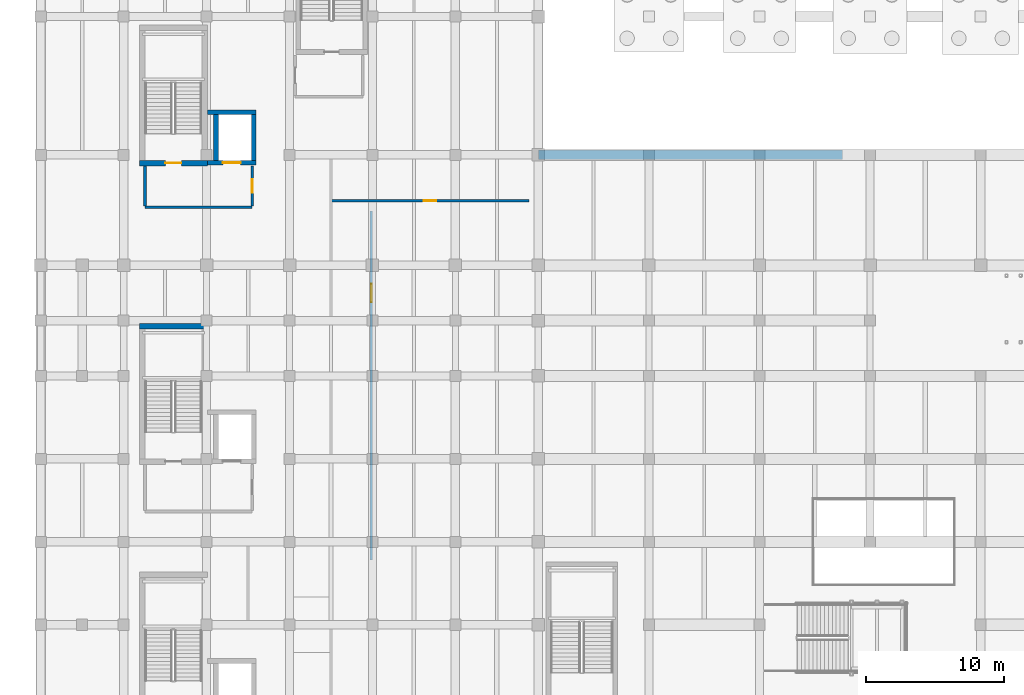
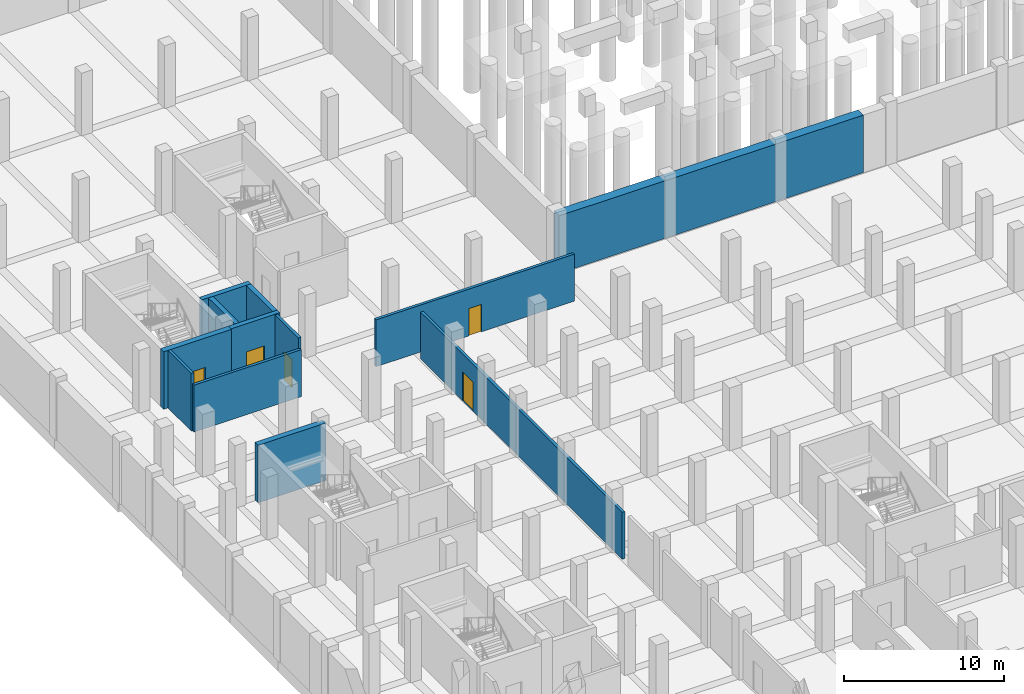
# One storey, part 21 of 36: 12 walls, 5 doors, 5 openings.
"""IFC4 building model written with IfcOpenShell, lengths in metres."""

from ifc_helpers import new_model, si_unit, direction, frame, frame_2d, origin, place, context, subcontext, project, spatial, rectangle, extrude, material, layer, layer_set, type_object, element, fill, save


model = new_model("IFC4")

# Units and contexts
model_context = context("Model", 3, precision=1e-05, world=origin(), true_north=direction((0.0, 1.0)))
body_context = subcontext(model_context, "Body", "Model", "MODEL_VIEW")
ifc_project = project(units=[si_unit("LENGTHUNIT", "METRE"), si_unit("AREAUNIT", "SQUARE_METRE"), si_unit("VOLUMEUNIT", "CUBIC_METRE"), si_unit("PLANEANGLEUNIT", "RADIAN"), si_unit("MASSUNIT", "GRAM", prefix="KILO")], contexts=[model_context])

# Site, building, storey
site_placement = place(None, origin())
site = spatial("IfcSite", under=ifc_project, at=site_placement, CompositionType="ELEMENT")
building_placement = place(site_placement, origin())
building = spatial("IfcBuilding", under=site, at=building_placement, Name="Verrall Gate Interchange", CompositionType="ELEMENT")
storey_placement = place(building_placement, frame((0.0, 0.0, -4.800048828125)))
storey = spatial("IfcBuildingStorey", under=building, at=storey_placement, Name="B1", CompositionType="ELEMENT", Elevation=-4.800048828125)

# Walls
ifc_material_1 = material(Name="Fire-Rated Type X Gypsum Stud Partition Assembly (60 min)", Category="gypsum")
ifc_layer_1 = layer(ifc_material_1, 0.199951171875)
ifc_layer_set_1 = layer_set([ifc_layer_1], Name="Fire-Rated Type X Gypsum Stud Partition Assembly (60 min)")
wall_type_1 = type_object("IfcWallType", Name="IW-01 Interior Partition Wall 200", PredefinedType="PARTITIONING", material=ifc_layer_set_1)
wall_1_placement = place(storey_placement, frame((7.550048828125, 52.199951171875, 0.0), z_axis=(0.0, 0.0, 1.0), x_axis=(1.0, 0.0, 0.0)))
element("IfcWall", 1, at=wall_1_placement, inside=storey, type_object=wall_type_1, Name="B1 Core C3 Lobby South Rated Wall", PredefinedType="PARTITIONING", context=body_context, shape_type="SweptSolid", body=[
    extrude(rectangle(XDim=7.75, YDim=0.199951171875, at=frame_2d((3.875, 0.0))), origin(), (0.0, 0.0, 1.0), 3.587158203125),
])
wall_2_placement = place(storey_placement, frame((7.550048828125, 55.199951171875, 0.0), z_axis=(0.0, 0.0, 1.0), x_axis=(0.0, -1.0, 0.0)))
element("IfcWall", 2, at=wall_2_placement, inside=storey, type_object=wall_type_1, Name="B1 Core C3 Lobby West Rated Wall", PredefinedType="PARTITIONING", context=body_context, shape_type="SweptSolid", body=[
    extrude(rectangle(XDim=2.919921875, YDim=0.199951171875, at=frame_2d((1.4599609375, 0.0))), origin(), (0.0, 0.0, 1.0), 4.400146484375),
])

# Wall, opening, door
wall_3_placement = place(storey_placement, frame((15.300048828125, 52.280029296875, 0.0), z_axis=(0.0, 0.0, 1.0), x_axis=(0.0, 1.0, 0.0)))
wall_3 = element("IfcWall", 3, at=wall_3_placement, inside=storey, type_object=wall_type_1, Name="B1 Core C3 Lobby East Rated Wall", PredefinedType="PARTITIONING", context=body_context, shape_type="SweptSolid", body=[
    extrude(rectangle(XDim=2.919921875, YDim=0.199951171875, at=frame_2d((1.4599609375, 0.0))), origin(), (0.0, 0.0, 1.0), 4.400146484375),
])
opening_1_placement = place(wall_3_placement, frame((0.9599609375, 0.0, 0.0)))
opening_1 = element("IfcOpeningElement", 4, at=opening_1_placement, cuts=wall_3, Name="Opening LBD045", PredefinedType="OPENING", context=body_context, shape_type="SweptSolid", body=[
    extrude(rectangle(XDim=1.0, YDim=2.14990234375, at=frame_2d((0.5, 1.074951171875))), frame((0.0, 0.11474609375, 0.0), z_axis=(0.0, -1.0, 0.0), x_axis=(1.0, 0.0, 0.0)), (0.0, 0.0, 1.0), 0.229736328125),
])
ifc_material_2 = material(Name="Hollow-Metal Fire-Rated Door Assembly", Category="metal")
door_type_1 = type_object("IfcDoorType", Name="ID-05 Interior Swing Door 1000x2150", OperationType="NOTDEFINED", PredefinedType="DOOR", material=ifc_material_2)
door_1_placement = place(opening_1_placement, origin())
door_1 = element("IfcDoor", 5, at=door_1_placement, inside=storey, type_object=door_type_1, Name="B1 Core C3 Lobby Fire Door LBD045", OperationType="SINGLE_SWING_LEFT", OverallHeight=2.14990234375, OverallWidth=1.0, PredefinedType="DOOR", context=body_context, shape_type="SweptSolid", body=[
    extrude(rectangle(XDim=1.0, YDim=2.14990234375, at=frame_2d((0.5, 1.074951171875))), frame((0.0, 0.02490234375, 0.0), z_axis=(0.0, -1.0, 0.0), x_axis=(1.0, 0.0, 0.0)), (0.0, 0.0, 1.0), 0.050048828125),
])
fill(opening_1, door_1)

wall_4_placement = place(storey_placement, frame((23.919921875, 51.919921875, 0.0), z_axis=(0.0, 0.0, 1.0), x_axis=(0.0, -1.0, 0.0)))
wall_4 = element("IfcWall", 6, at=wall_4_placement, inside=storey, type_object=wall_type_1, Name="B1 Train Control and Signalling Battery Room Partition 012", PredefinedType="PARTITIONING", context=body_context, shape_type="SweptSolid", body=[
    extrude(rectangle(XDim=25.239990234375, YDim=0.199951171875, at=frame_2d((12.6201171875, 0.0))), origin(), (0.0, 0.0, 1.0), 3.587158203125),
])
opening_2_placement = place(wall_4_placement, frame((5.262451171875, 0.0, 0.0)))
opening_2 = element("IfcOpeningElement", 7, at=opening_2_placement, cuts=wall_4, Name="Opening D012", PredefinedType="OPENING", context=body_context, shape_type="SweptSolid", body=[
    extrude(rectangle(XDim=1.320068359375, YDim=2.199951171875, at=frame_2d((0.66015625, 1.10009765625))), frame((0.0, 0.11474609375, 0.0), z_axis=(0.0, -1.0, 0.0), x_axis=(1.0, 0.0, 0.0)), (0.0, 0.0, 1.0), 0.229736328125),
])
ifc_material_3 = material(Name="Hollow-Metal Fire-Rated Door Assembly", Category="metal")
door_type_2 = type_object("IfcDoorType", Name="ID-08 Interior Swing Door 1320x2200", OperationType="NOTDEFINED", PredefinedType="DOOR", material=ifc_material_3)
door_2_placement = place(opening_2_placement, origin())
door_2 = element("IfcDoor", 8, at=door_2_placement, inside=storey, type_object=door_type_2, Name="B1 Train Control and Signalling Battery Room Door D012", OperationType="SINGLE_SWING_LEFT", OverallHeight=2.199951171875, OverallWidth=1.320068359375, PredefinedType="DOOR", context=body_context, shape_type="SweptSolid", body=[
    extrude(rectangle(XDim=1.320068359375, YDim=2.199951171875, at=frame_2d((0.66015625, 1.10009765625))), frame((0.0, 0.02490234375, 0.0), z_axis=(0.0, -1.0, 0.0), x_axis=(1.0, 0.0, 0.0)), (0.0, 0.0, 1.0), 0.050048828125),
])
fill(opening_2, door_2)

wall_5_placement = place(storey_placement, frame((35.320068359375, 52.679931640625, 0.0), z_axis=(0.0, 0.0, 1.0), x_axis=(-1.0, 0.0, 0.0)))
wall_5 = element("IfcWall", 9, at=wall_5_placement, inside=storey, type_object=wall_type_1, Name="B1 Mezzanine Smoke Exhaust Fan Plant Partition 013", PredefinedType="PARTITIONING", context=body_context, shape_type="SweptSolid", body=[
    extrude(rectangle(XDim=14.324951171875, YDim=0.199951171875, at=frame_2d((7.16259765625, 0.0))), origin(), (0.0, 0.0, 1.0), 3.587158203125),
])
opening_3_placement = place(wall_5_placement, frame((6.702392578125, 0.0, 0.0)))
opening_3 = element("IfcOpeningElement", 10, at=opening_3_placement, cuts=wall_5, Name="Opening D013", PredefinedType="OPENING", context=body_context, shape_type="SweptSolid", body=[
    extrude(rectangle(XDim=0.919921875, YDim=2.10009765625, at=frame_2d((0.4599609375, 1.050048828125))), frame((0.0, 0.11474609375, 0.0), z_axis=(0.0, -1.0, 0.0), x_axis=(1.0, 0.0, 0.0)), (0.0, 0.0, 1.0), 0.229736328125),
])
ifc_material_4 = material(Name="Architectural Solid-Core Birch Acoustic Door Assembly", Category="wood")
door_type_3 = type_object("IfcDoorType", Name="ID-10 Interior Swing Door 920x2100", OperationType="NOTDEFINED", PredefinedType="DOOR", material=ifc_material_4)
door_3_placement = place(opening_3_placement, origin())
door_3 = element("IfcDoor", 11, at=door_3_placement, inside=storey, type_object=door_type_3, Name="B1 Mezzanine Smoke Exhaust Fan Plant Door D013", OperationType="SINGLE_SWING_RIGHT", OverallHeight=2.10009765625, OverallWidth=0.919921875, PredefinedType="DOOR", context=body_context, shape_type="SweptSolid", body=[
    extrude(rectangle(XDim=0.919921875, YDim=2.10009765625, at=frame_2d((0.4599609375, 1.050048828125))), frame((0.0, 0.02490234375, 0.0), z_axis=(0.0, -1.0, 0.0), x_axis=(1.0, 0.0, 0.0)), (0.0, 0.0, 1.0), 0.050048828125),
])
fill(opening_3, door_3)

# Walls
ifc_material_5 = material(Name="Concrete CSA A23.1 35 MPa (Class S-2)", Category="concrete")
ifc_layer_2 = layer(ifc_material_5, 0.659912109375)
ifc_layer_set_2 = layer_set([ifc_layer_2], Name="Concrete CSA A23.1 35 MPa (Class S-2)")
wall_type_2 = type_object("IfcWallType", Name="RW-02 Diaphragm Retaining Wall 660", PredefinedType="USERDEFINED", material=ifc_layer_set_2)
wall_6_placement = place(storey_placement, frame((58.0, 56.0, 0.0), z_axis=(0.0, 0.0, 1.0), x_axis=(-1.0, 0.0, 0.0)))
element("IfcWall", 12, at=wall_6_placement, inside=storey, type_object=wall_type_2, Name="B1 Diaphragm Retaining Wall 040", ObjectType="RETAININGWALL", PredefinedType="USERDEFINED", context=body_context, shape_type="SweptSolid", body=[
    extrude(rectangle(XDim=22.0, YDim=0.659912109375, at=frame_2d((11.0, 0.0))), origin(), (0.0, 0.0, 1.0), 4.400146484375),
])
ifc_material_6 = material(Name="Concrete CSA A23.1 40 MPa (Class N)", Category="concrete")
ifc_layer_3 = layer(ifc_material_6, 0.39990234375)
ifc_layer_set_3 = layer_set([ifc_layer_3], Name="Concrete CSA A23.1 40 MPa (Class N)")
wall_type_3 = type_object("IfcWallType", Name="SW-01 Core Shear Wall 400", PredefinedType="SHEAR", material=ifc_layer_set_3)
wall_7_placement = place(storey_placement, frame((12.050048828125, 43.60009765625, 0.0), z_axis=(0.0, 0.0, 1.0), x_axis=(-1.0, 0.0, 0.0)))
element("IfcWall", 13, at=wall_7_placement, inside=storey, type_object=wall_type_3, Name="B1 Core C2 North Shear Wall", PredefinedType="SHEAR", context=body_context, shape_type="SweptSolid", body=[
    extrude(rectangle(XDim=4.900146484375, YDim=0.39990234375, at=frame_2d((2.4501953125, 0.0))), origin(), (0.0, 0.0, 1.0), 4.400146484375),
])

# Wall, opening, door
wall_8_placement = place(storey_placement, frame((7.14990234375, 55.39990234375, 0.0), z_axis=(0.0, 0.0, 1.0), x_axis=(1.0, 0.0, 0.0)))
wall_8 = element("IfcWall", 14, at=wall_8_placement, inside=storey, type_object=wall_type_3, Name="B1 Core C3 South Shear Wall", PredefinedType="SHEAR", context=body_context, shape_type="SweptSolid", body=[
    extrude(rectangle(XDim=4.900146484375, YDim=0.39990234375, at=frame_2d((2.4501953125, 0.0))), origin(), (0.0, 0.0, 1.0), 4.400146484375),
])
opening_4_placement = place(wall_8_placement, frame((1.875, 0.0, 0.0)))
opening_4 = element("IfcOpeningElement", 15, at=opening_4_placement, cuts=wall_8, Name="Opening SD038", PredefinedType="OPENING", context=body_context, shape_type="SweptSolid", body=[
    extrude(rectangle(XDim=1.14990234375, YDim=2.14990234375, at=frame_2d((0.574951171875, 1.074951171875))), frame((0.0, 0.21484375, 0.0), z_axis=(0.0, -1.0, 0.0), x_axis=(1.0, 0.0, 0.0)), (0.0, 0.0, 1.0), 0.4296875),
])
ifc_material_7 = material(Name="Hollow-Metal Fire-Rated Door Assembly", Category="metal")
door_type_4 = type_object("IfcDoorType", Name="ID-02 Interior Swing Door 1150x2150", OperationType="NOTDEFINED", PredefinedType="DOOR", material=ifc_material_7)
door_4_placement = place(opening_4_placement, origin())
door_4 = element("IfcDoor", 16, at=door_4_placement, inside=storey, type_object=door_type_4, Name="B1 Stair ST-03 Fire Door SD038", OperationType="SINGLE_SWING_RIGHT", OverallHeight=2.14990234375, OverallWidth=1.14990234375, PredefinedType="DOOR", context=body_context, shape_type="SweptSolid", body=[
    extrude(rectangle(XDim=1.14990234375, YDim=2.14990234375, at=frame_2d((0.574951171875, 1.074951171875))), frame((0.0, 0.02490234375, 0.0), z_axis=(0.0, -1.0, 0.0), x_axis=(1.0, 0.0, 0.0)), (0.0, 0.0, 1.0), 0.050048828125),
])
fill(opening_4, door_4)

ifc_material_8 = material(Name="Concrete CSA A23.1 40 MPa (Class N)", Category="concrete")
ifc_layer_4 = layer(ifc_material_8, 0.340087890625)
ifc_layer_set_4 = layer_set([ifc_layer_4], Name="Concrete CSA A23.1 40 MPa (Class N)")
wall_type_4 = type_object("IfcWallType", Name="SW-02 Core Shear Wall 340", PredefinedType="SHEAR", material=ifc_layer_set_4)
wall_9_placement = place(storey_placement, frame((12.050048828125, 55.429931640625, 0.0), z_axis=(0.0, 0.0, 1.0), x_axis=(1.0, 0.0, 0.0)))
wall_9 = element("IfcWall", 17, at=wall_9_placement, inside=storey, type_object=wall_type_4, Name="B1 Elevator EL-08 South Shaft Wall", PredefinedType="SHEAR", context=body_context, shape_type="SweptSolid", body=[
    extrude(rectangle(XDim=3.5400390625, YDim=0.340087890625, at=frame_2d((1.77001953125, 0.0))), origin(), (0.0, 0.0, 1.0), 4.400146484375),
])
opening_5_placement = place(wall_9_placement, frame((1.1201171875, 0.0, 0.0)))
opening_5 = element("IfcOpeningElement", 18, at=opening_5_placement, cuts=wall_9, Name="Opening LD-08-B1", PredefinedType="OPENING", context=body_context, shape_type="SweptSolid", body=[
    extrude(rectangle(XDim=1.300048828125, YDim=2.25, at=frame_2d((0.64990234375, 1.125))), frame((0.0, 0.18505859375, 0.0), z_axis=(0.0, -1.0, 0.0), x_axis=(1.0, 0.0, 0.0)), (0.0, 0.0, 1.0), 0.369873046875),
])
ifc_material_9 = material(Name="Stainless-Steel Elevator Landing Sliding Door Assembly", Category="steel")
door_type_5 = type_object("IfcDoorType", Name="LD-03 Elevator Sliding Landing Door 1300x2250", OperationType="NOTDEFINED", PredefinedType="DOOR", material=ifc_material_9)
door_5_placement = place(opening_5_placement, origin())
door_5 = element("IfcDoor", 19, at=door_5_placement, inside=storey, type_object=door_type_5, Name="B1 Elevator EL-08 Sliding Landing Door", OperationType="DOUBLE_DOOR_SLIDING", OverallHeight=2.25, OverallWidth=1.300048828125, PredefinedType="DOOR", context=body_context, shape_type="SweptSolid", body=[
    extrude(rectangle(XDim=1.300048828125, YDim=2.25, at=frame_2d((0.64990234375, 1.125))), frame((0.0, 0.02490234375, 0.0), z_axis=(0.0, -1.0, 0.0), x_axis=(1.0, 0.0, 0.0)), (0.0, 0.0, 1.0), 0.050048828125),
])
fill(opening_5, door_5)

# Walls
wall_10_placement = place(storey_placement, frame((15.590087890625, 59.070068359375, 0.0), z_axis=(0.0, 0.0, 1.0), x_axis=(-1.0, 0.0, 0.0)))
element("IfcWall", 20, at=wall_10_placement, inside=storey, type_object=wall_type_4, Name="B1 Elevator EL-08 North Shaft Wall", PredefinedType="SHEAR", context=body_context, shape_type="SweptSolid", body=[
    extrude(rectangle(XDim=3.5400390625, YDim=0.340087890625, at=frame_2d((1.77001953125, 0.0))), origin(), (0.0, 0.0, 1.0), 4.400146484375),
])
for number, where, z_axis, x_axis, name in (
    (21, (12.679931640625, 58.89990234375, 0.0), (0.0, 0.0, 1.0), (0.0, -1.0, 0.0), "B1 Elevator EL-08 West Shaft Wall"),
    (22, (15.419921875, 55.60009765625, 0.0), (0.0, 0.0, 1.0), (0.0, 1.0, 0.0), "B1 Elevator EL-08 East Shaft Wall"),
):
    element("IfcWall", number, at=place(storey_placement, frame(where, z_axis=z_axis, x_axis=x_axis)), inside=storey, type_object=wall_type_4, Name=name, PredefinedType="SHEAR", context=body_context, shape_type="SweptSolid", body=[
        extrude(rectangle(XDim=3.2998046875, YDim=0.340087890625, at=frame_2d((1.64990234375, 0.0))), origin(), (0.0, 0.0, 1.0), 4.400146484375),
    ])

save(model, "model.ifc")
